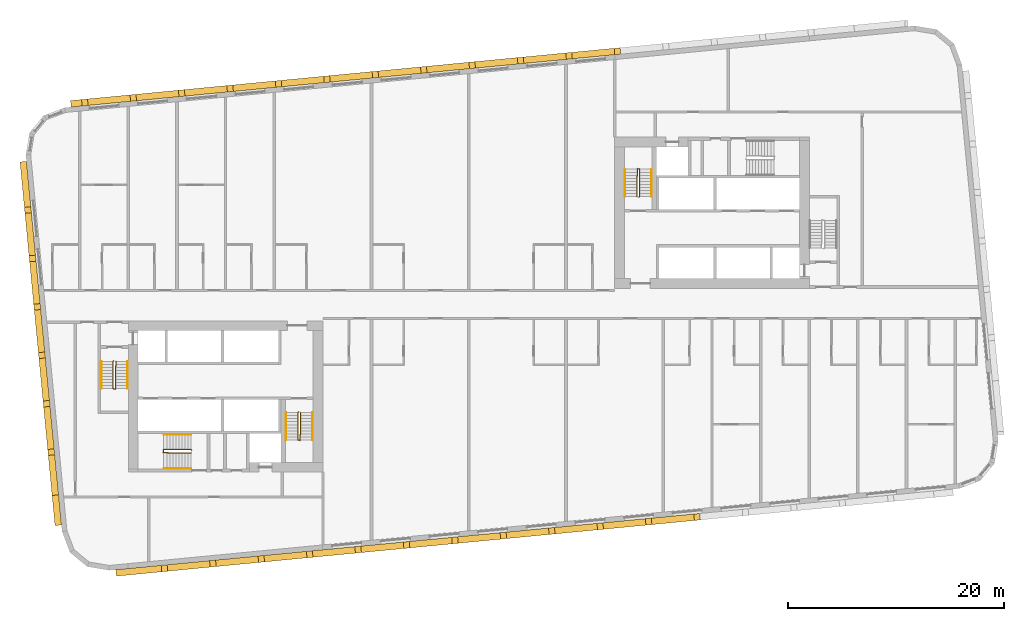
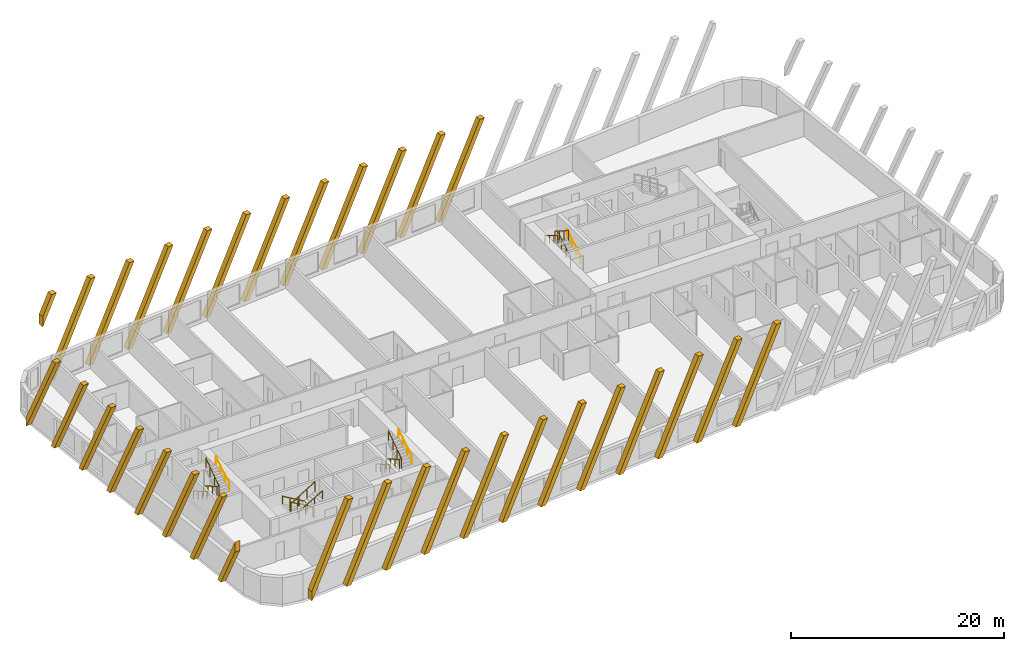
# One storey, part 12 of 13: 32 coverings, 12 railings.
"""IFC4 building model written with IfcOpenShell, lengths in metres."""

from ifc_helpers import new_model, si_unit, direction, frame, origin, origin_2d, place, context, subcontext, project, spatial, polyline, rectangle, circle, outline, extrude, material, material_profile, profile_set, type_object, element, save


model = new_model("IFC4")

# Units and contexts
model_context = context("Model", 3, precision=1e-05, world=origin(), true_north=direction((0.0, 1.0)))
body_context = subcontext(model_context, "Body", "Model", "MODEL_VIEW")
ifc_project = project(units=[si_unit("LENGTHUNIT", "METRE"), si_unit("AREAUNIT", "SQUARE_METRE"), si_unit("VOLUMEUNIT", "CUBIC_METRE"), si_unit("PLANEANGLEUNIT", "RADIAN"), si_unit("MASSUNIT", "GRAM", prefix="KILO")], contexts=[model_context])

# Site, building, storey
site_placement = place(None, origin())
site = spatial("IfcSite", under=ifc_project, at=site_placement, CompositionType="ELEMENT")
building_placement = place(site_placement, origin())
building = spatial("IfcBuilding", under=site, at=building_placement, Name="Kajstack Hotel Tower", CompositionType="ELEMENT")
storey_placement = place(building_placement, frame((0.0, 0.0, 120.699951171875)))
storey = spatial("IfcBuildingStorey", under=building, at=storey_placement, Name="L26", CompositionType="ELEMENT", Elevation=120.699951171875)

# Coverings
ifc_material_1 = material(Name="Terracotta", Category="masonry")
ifc_material_profile = material_profile(ifc_material_1, rectangle(XDim=0.60009765625, YDim=0.5, at=origin_2d()), Name="Terracotta-clad concrete baguette 500 x 600")
ifc_profile_set = profile_set([ifc_material_profile], Name="Terracotta")
covering_type = type_object("IfcCoveringType", Name="BAGUETTE 500x600", PredefinedType="CLADDING", material=ifc_profile_set)
covering_1_placement = place(storey_placement, frame((-40.91943359375, 13.2529296875, 0.0), z_axis=(-0.995381412265, -0.095999188106, 0.0), x_axis=(0.095999188106, -0.995381412265, 0.0)))
element("IfcCovering", 1, at=covering_1_placement, inside=storey, type_object=covering_type, Name="Baguette L26-00-001", PredefinedType="CLADDING", context=body_context, shape_type="SweptSolid", body=[
    extrude(outline(polyline([(4.222900390625, 9.89990234375), (0.0, 1.046142578125), (0.0, 0.0), (0.054931640625, 0.0), (4.777099609375, 9.89990234375), (4.222900390625, 9.89990234375)])), origin(), (0.0, 0.0, 1.0), 0.60009765625),
])
for number, where, z_axis, x_axis, name in (
    (2, (-40.5361328125, 9.270263671875, 0.0), (-0.995416482233, -0.095634862357, 0.0), (0.095634862357, -0.995416482233, 0.0), "Baguette L26-00-005"),
    (3, (-40.104736328125, 4.791015625, 0.0), (-0.995416482233, -0.095634862357, 0.0), (0.095634862357, -0.995416482233, 0.0), "Baguette L26-00-009"),
):
    element("IfcCovering", number, at=place(storey_placement, frame(where, z_axis=z_axis, x_axis=x_axis)), inside=storey, type_object=covering_type, Name=name, PredefinedType="CLADDING", context=body_context, shape_type="SweptSolid", body=[
        extrude(outline(polyline([(4.72216796875, 9.89990234375), (0.0, 0.0), (0.553955078125, 0.0), (5.276123046875, 9.89990234375), (4.72216796875, 9.89990234375)])), origin(), (0.0, 0.0, 1.0), 0.599853515625),
    ])
covering_2_placement = place(storey_placement, frame((-39.67333984375, 0.311767578125, 0.0), z_axis=(-0.995381412265, -0.095999188106, 0.0), x_axis=(0.095999188106, -0.995381412265, 0.0)))
element("IfcCovering", 4, at=covering_2_placement, inside=storey, type_object=covering_type, Name="Baguette L26-00-013", PredefinedType="CLADDING", context=body_context, shape_type="SweptSolid", body=[
    extrude(outline(polyline([(4.72216796875, 9.89990234375), (0.0, 0.0), (0.553955078125, 0.0), (5.276123046875, 9.89990234375), (4.72216796875, 9.89990234375)])), origin(), (0.0, 0.0, 1.0), 0.60009765625),
])
for number, where, z_axis, x_axis, name in (
    (5, (-39.2421875, -4.16748046875, 0.0), (-0.995377661201, -0.096038073607, 0.0), (0.096038073607, -0.995377661201, 0.0), "Baguette L26-00-017"),
    (6, (-38.810791015625, -8.646728515625, 0.0), (-0.995377661201, -0.096038073607, 0.0), (0.096038073607, -0.995377661201, 0.0), "Baguette L26-00-021"),
):
    element("IfcCovering", number, at=place(storey_placement, frame(where, z_axis=z_axis, x_axis=x_axis)), inside=storey, type_object=covering_type, Name=name, PredefinedType="CLADDING", context=body_context, shape_type="SweptSolid", body=[
        extrude(outline(polyline([(4.72216796875, 9.89990234375), (0.0, 0.0), (0.553955078125, 0.0), (5.276123046875, 9.89990234375), (4.72216796875, 9.89990234375)])), origin(), (0.0, 0.0, 1.0), 0.599853515625),
    ])
covering_3_placement = place(storey_placement, frame((-38.37939453125, -13.126220703125, 0.0), z_axis=(-0.995420202011, -0.095596137095, 0.0), x_axis=(0.095596137095, -0.995420202011, 0.0)))
element("IfcCovering", 7, at=covering_3_placement, inside=storey, type_object=covering_type, Name="Baguette L26-00-025", PredefinedType="CLADDING", context=body_context, shape_type="SweptSolid", body=[
    extrude(outline(polyline([(4.72216796875, 9.89990234375), (0.0, 0.0), (0.553955078125, 0.0), (5.276123046875, 9.89990234375), (4.72216796875, 9.89990234375)])), origin(), (0.0, 0.0, 1.0), 0.60009765625),
])
covering_4_placement = place(storey_placement, frame((-37.9482421875, -17.60546875, 0.0), z_axis=(-0.995416482233, -0.095634862357, 0.0), x_axis=(0.095634862357, -0.995416482233, 0.0)))
element("IfcCovering", 8, at=covering_4_placement, inside=storey, type_object=covering_type, Name="Baguette L26-00-029", PredefinedType="CLADDING", context=body_context, shape_type="SweptSolid", body=[
    extrude(outline(polyline([(0.553955078125, 0.0), (2.798828125, 4.706787109375), (2.798828125, 5.8681640625), (0.0, 0.0), (0.553955078125, 0.0)])), origin(), (0.0, 0.0, 1.0), 0.599853515625),
])
covering_5_placement = place(storey_placement, frame((-32.66015625, -24.529296875, 0.0), z_axis=(0.095596137095, -0.995420202011, 0.0), x_axis=(0.995420202011, 0.095596137095, 0.0)))
element("IfcCovering", 9, at=covering_5_placement, inside=storey, type_object=covering_type, Name="Baguette L26-04-001", PredefinedType="CLADDING", context=body_context, shape_type="SweptSolid", body=[
    extrude(outline(polyline([(4.222900390625, 9.89990234375), (0.0, 1.046142578125), (0.0, 0.0), (0.054931640625, 0.0), (4.777099609375, 9.89990234375), (4.222900390625, 9.89990234375)])), origin(), (0.0, 0.0, 1.0), 0.60009765625),
])
for number, where, z_axis, x_axis, name in (
    (10, (-28.677734375, -24.14599609375, 0.0), (0.096038073607, -0.995377661201, 0.0), (0.995377661201, 0.096038073607, 0.0), "Baguette L26-04-005"),
    (11, (-24.198486328125, -23.714599609375, 0.0), (0.096038073607, -0.995377661201, 0.0), (0.995377661201, 0.096038073607, 0.0), "Baguette L26-04-009"),
):
    element("IfcCovering", number, at=place(storey_placement, frame(where, z_axis=z_axis, x_axis=x_axis)), inside=storey, type_object=covering_type, Name=name, PredefinedType="CLADDING", context=body_context, shape_type="SweptSolid", body=[
        extrude(outline(polyline([(4.72216796875, 9.89990234375), (0.0, 0.0), (0.553955078125, 0.0), (5.276123046875, 9.89990234375), (4.72216796875, 9.89990234375)])), origin(), (0.0, 0.0, 1.0), 0.599853515625),
    ])
covering_6_placement = place(storey_placement, frame((-19.71923828125, -23.283203125, 0.0), z_axis=(0.095999188106, -0.995381412265, 0.0), x_axis=(0.995381412265, 0.095999188106, 0.0)))
element("IfcCovering", 12, at=covering_6_placement, inside=storey, type_object=covering_type, Name="Baguette L26-04-013", PredefinedType="CLADDING", context=body_context, shape_type="SweptSolid", body=[
    extrude(outline(polyline([(4.72216796875, 9.89990234375), (0.0, 0.0), (0.553955078125, 0.0), (5.276123046875, 9.89990234375), (4.72216796875, 9.89990234375)])), origin(), (0.0, 0.0, 1.0), 0.60009765625),
])
for number, where, z_axis, x_axis, name in (
    (13, (-15.239990234375, -22.85205078125, 0.0), (0.096038073607, -0.995377661201, 0.0), (0.995377661201, 0.096038073607, 0.0), "Baguette L26-04-017"),
    (14, (-10.760498046875, -22.420654296875, 0.0), (0.095634862357, -0.995416482233, 0.0), (0.995416482233, 0.095634862357, 0.0), "Baguette L26-04-021"),
    (15, (-6.28125, -21.989501953125, 0.0), (0.095634862357, -0.995416482233, 0.0), (0.995416482233, 0.095634862357, 0.0), "Baguette L26-04-025"),
    (16, (-1.802001953125, -21.55810546875, 0.0), (0.095634862357, -0.995416482233, 0.0), (0.995416482233, 0.095634862357, 0.0), "Baguette L26-04-029"),
):
    element("IfcCovering", number, at=place(storey_placement, frame(where, z_axis=z_axis, x_axis=x_axis)), inside=storey, type_object=covering_type, Name=name, PredefinedType="CLADDING", context=body_context, shape_type="SweptSolid", body=[
        extrude(outline(polyline([(4.72216796875, 9.89990234375), (0.0, 0.0), (0.553955078125, 0.0), (5.276123046875, 9.89990234375), (4.72216796875, 9.89990234375)])), origin(), (0.0, 0.0, 1.0), 0.599853515625),
    ])
covering_7_placement = place(storey_placement, frame((2.67724609375, -21.126708984375, 0.0), z_axis=(0.095999188106, -0.995381412265, 0.0), x_axis=(0.995381412265, 0.095999188106, 0.0)))
element("IfcCovering", 17, at=covering_7_placement, inside=storey, type_object=covering_type, Name="Baguette L26-04-033", PredefinedType="CLADDING", context=body_context, shape_type="SweptSolid", body=[
    extrude(outline(polyline([(4.72216796875, 9.89990234375), (0.0, 0.0), (0.553955078125, 0.0), (5.276123046875, 9.89990234375), (4.72216796875, 9.89990234375)])), origin(), (0.0, 0.0, 1.0), 0.60009765625),
])
for number, where, z_axis, x_axis, name in (
    (18, (7.156494140625, -20.695556640625, 0.0), (0.096038073607, -0.995377661201, 0.0), (0.995377661201, 0.096038073607, 0.0), "Baguette L26-04-037"),
    (19, (11.6357421875, -20.26416015625, 0.0), (0.096038073607, -0.995377661201, 0.0), (0.995377661201, 0.096038073607, 0.0), "Baguette L26-04-041"),
):
    element("IfcCovering", number, at=place(storey_placement, frame(where, z_axis=z_axis, x_axis=x_axis)), inside=storey, type_object=covering_type, Name=name, PredefinedType="CLADDING", context=body_context, shape_type="SweptSolid", body=[
        extrude(outline(polyline([(4.72216796875, 9.89990234375), (0.0, 0.0), (0.553955078125, 0.0), (5.276123046875, 9.89990234375), (4.72216796875, 9.89990234375)])), origin(), (0.0, 0.0, 1.0), 0.599853515625),
    ])
covering_8_placement = place(storey_placement, frame((16.114990234375, -19.832763671875, 0.0), z_axis=(0.095999188106, -0.995381412265, 0.0), x_axis=(0.995381412265, 0.095999188106, 0.0)))
element("IfcCovering", 20, at=covering_8_placement, inside=storey, type_object=covering_type, Name="Baguette L26-04-045", PredefinedType="CLADDING", context=body_context, shape_type="SweptSolid", body=[
    extrude(outline(polyline([(4.72216796875, 9.89990234375), (0.0, 0.0), (0.553955078125, 0.0), (5.276123046875, 9.89990234375), (4.72216796875, 9.89990234375)])), origin(), (0.0, 0.0, 1.0), 0.60009765625),
])
for number, where, z_axis, x_axis, name in (
    (21, (14.060302734375, 23.168212890625, 0.0), (-0.096038073607, 0.995377661201, 0.0), (-0.995377661201, -0.096038073607, 0.0), "Baguette L26-12-025"),
    (22, (9.5810546875, 22.73681640625, 0.0), (-0.096038073607, 0.995377661201, 0.0), (-0.995377661201, -0.096038073607, 0.0), "Baguette L26-12-029"),
):
    element("IfcCovering", number, at=place(storey_placement, frame(where, z_axis=z_axis, x_axis=x_axis)), inside=storey, type_object=covering_type, Name=name, PredefinedType="CLADDING", context=body_context, shape_type="SweptSolid", body=[
        extrude(outline(polyline([(0.0, 9.89990234375), (4.72216796875, 0.0), (5.276123046875, 0.0), (0.553955078125, 9.89990234375), (0.0, 9.89990234375)])), origin(), (0.0, 0.0, 1.0), 0.599853515625),
    ])
covering_9_placement = place(storey_placement, frame((5.101806640625, 22.305419921875, 0.0), z_axis=(-0.095999188106, 0.995381412265, 0.0), x_axis=(-0.995381412265, -0.095999188106, 0.0)))
element("IfcCovering", 23, at=covering_9_placement, inside=storey, type_object=covering_type, Name="Baguette L26-12-033", PredefinedType="CLADDING", context=body_context, shape_type="SweptSolid", body=[
    extrude(outline(polyline([(0.0, 9.89990234375), (4.72216796875, 0.0), (5.276123046875, 0.0), (0.553955078125, 9.89990234375), (0.0, 9.89990234375)])), origin(), (0.0, 0.0, 1.0), 0.60009765625),
])
for number, where, z_axis, x_axis, name in (
    (24, (0.622314453125, 21.874267578125, 0.0), (-0.095634862357, 0.995416482233, 0.0), (-0.995416482233, -0.095634862357, 0.0), "Baguette L26-12-037"),
    (25, (-3.85693359375, 21.44287109375, 0.0), (-0.095634862357, 0.995416482233, 0.0), (-0.995416482233, -0.095634862357, 0.0), "Baguette L26-12-041"),
):
    element("IfcCovering", number, at=place(storey_placement, frame(where, z_axis=z_axis, x_axis=x_axis)), inside=storey, type_object=covering_type, Name=name, PredefinedType="CLADDING", context=body_context, shape_type="SweptSolid", body=[
        extrude(outline(polyline([(0.0, 9.89990234375), (4.72216796875, 0.0), (5.276123046875, 0.0), (0.553955078125, 9.89990234375), (0.0, 9.89990234375)])), origin(), (0.0, 0.0, 1.0), 0.599853515625),
    ])
covering_10_placement = place(storey_placement, frame((-8.336181640625, 21.011474609375, 0.0), z_axis=(-0.095596137095, 0.995420202011, 0.0), x_axis=(-0.995420202011, -0.095596137095, 0.0)))
element("IfcCovering", 26, at=covering_10_placement, inside=storey, type_object=covering_type, Name="Baguette L26-12-045", PredefinedType="CLADDING", context=body_context, shape_type="SweptSolid", body=[
    extrude(outline(polyline([(0.0, 9.89990234375), (4.72216796875, 0.0), (5.276123046875, 0.0), (0.553955078125, 9.89990234375), (0.0, 9.89990234375)])), origin(), (0.0, 0.0, 1.0), 0.60009765625),
])
for number, where, z_axis, x_axis, name in (
    (27, (-12.8154296875, 20.580322265625, 0.0), (-0.096038073607, 0.995377661201, 0.0), (-0.995377661201, -0.096038073607, 0.0), "Baguette L26-12-049"),
    (28, (-17.294677734375, 20.14892578125, 0.0), (-0.096038073607, 0.995377661201, 0.0), (-0.995377661201, -0.096038073607, 0.0), "Baguette L26-12-053"),
    (29, (-21.77392578125, 19.7177734375, 0.0), (-0.096038073607, 0.995377661201, 0.0), (-0.995377661201, -0.096038073607, 0.0), "Baguette L26-12-057"),
    (30, (-26.253173828125, 19.286376953125, 0.0), (-0.096038073607, 0.995377661201, 0.0), (-0.995377661201, -0.096038073607, 0.0), "Baguette L26-12-061"),
):
    element("IfcCovering", number, at=place(storey_placement, frame(where, z_axis=z_axis, x_axis=x_axis)), inside=storey, type_object=covering_type, Name=name, PredefinedType="CLADDING", context=body_context, shape_type="SweptSolid", body=[
        extrude(outline(polyline([(0.0, 9.89990234375), (4.72216796875, 0.0), (5.276123046875, 0.0), (0.553955078125, 9.89990234375), (0.0, 9.89990234375)])), origin(), (0.0, 0.0, 1.0), 0.599853515625),
    ])
covering_11_placement = place(storey_placement, frame((-30.732666015625, 18.85498046875, 0.0), z_axis=(-0.095596137095, 0.995420202011, 0.0), x_axis=(-0.995420202011, -0.095596137095, 0.0)))
element("IfcCovering", 31, at=covering_11_placement, inside=storey, type_object=covering_type, Name="Baguette L26-12-065", PredefinedType="CLADDING", context=body_context, shape_type="SweptSolid", body=[
    extrude(outline(polyline([(0.0, 9.89990234375), (4.72216796875, 0.0), (5.276123046875, 0.0), (0.553955078125, 9.89990234375), (0.0, 9.89990234375)])), origin(), (0.0, 0.0, 1.0), 0.60009765625),
])
covering_12_placement = place(storey_placement, frame((-35.2119140625, 18.423828125, 0.0), z_axis=(-0.095634862357, 0.995416482233, 0.0), x_axis=(-0.995416482233, -0.095634862357, 0.0)))
element("IfcCovering", 32, at=covering_12_placement, inside=storey, type_object=covering_type, Name="Baguette L26-12-069", PredefinedType="CLADDING", context=body_context, shape_type="SweptSolid", body=[
    extrude(outline(polyline([(0.0, 9.89990234375), (1.576904296875, 6.59375), (1.576904296875, 7.755126953125), (0.553955078125, 9.89990234375), (0.0, 9.89990234375)])), origin(), (0.0, 0.0, 1.0), 0.599853515625),
])

# Railings
ifc_material_2 = material(Name="Steel S355J2", Category="steel")
railing_type_1 = type_object("IfcRailingType", Name="Stair guard 1100", PredefinedType="GUARDRAIL", material=ifc_material_2)
railing_1_placement = place(storey_placement, frame((-32.85009765625, -5.199951171875, 0.0)))
element("IfcRailing", 33, at=railing_1_placement, inside=storey, type_object=railing_type_1, Name="L26 W1 stair guard 1", PredefinedType="GUARDRAIL", context=body_context, shape_type="SweptSolid", body=[
    extrude(circle(Radius=0.02392578125, at=origin_2d()), frame((0.0, 0.0, 1.076171875), z_axis=(-0.277450376394, -0.278810427259, 0.919394384522), x_axis=(0.708833529934, -0.705375805398, 0.0)), (0.0, 0.0, 1.0), 0.179443359375),
    extrude(circle(Radius=0.02392578125, at=origin_2d()), frame((-0.0498046875, -0.050048828125, 1.2412109375), z_axis=(0.0, -0.86152411907, 0.507716645641), x_axis=(1.0, 0.0, 0.0)), (0.0, 0.0, 1.0), 2.925048828125),
    extrude(circle(Radius=0.02392578125, at=origin_2d()), frame((-0.0498046875, -2.570068359375, 2.72607421875), z_axis=(0.970072785993, -0.242814311512, 0.0), x_axis=(0.242814311512, 0.970072785993, 0.0)), (0.0, 0.0, 1.0), 0.2060546875),
    extrude(circle(Radius=0.02392578125, at=origin_2d()), frame((0.150146484375, -2.6201171875, 2.72607421875), z_axis=(0.016385308676, 0.841405582595, 0.540155687962), x_axis=(-0.999810440751, 0.019470042781, 0.0)), (0.0, 0.0, 1.0), 3.054443359375),
    extrude(circle(Radius=0.02099609375, at=origin_2d()), origin(), (0.0, 0.0, 1.0), 1.052001953125),
    extrude(circle(Radius=0.02099609375, at=origin_2d()), frame((-0.0498046875, -0.050048828125, 0.1650390625)), (0.0, 0.0, 1.0), 1.052001953125),
    extrude(circle(Radius=0.02099609375, at=origin_2d()), frame((-0.0498046875, -0.89013671875, 0.66015625)), (0.0, 0.0, 1.0), 1.052001953125),
    extrude(circle(Radius=0.02099609375, at=origin_2d()), frame((-0.0498046875, -1.72998046875, 1.155029296875)), (0.0, 0.0, 1.0), 1.052001953125),
    extrude(circle(Radius=0.02099609375, at=origin_2d()), frame((-0.0498046875, -2.570068359375, 1.650146484375)), (0.0, 0.0, 1.0), 1.052001953125),
    extrude(circle(Radius=0.02099609375, at=origin_2d()), frame((0.150146484375, -2.6201171875, 1.650146484375)), (0.0, 0.0, 1.0), 1.052001953125),
    extrude(circle(Radius=0.02099609375, at=origin_2d()), frame((0.166748046875, -1.763427734375, 2.2001953125)), (0.0, 0.0, 1.0), 1.052001953125),
    extrude(circle(Radius=0.02099609375, at=origin_2d()), frame((0.18359375, -0.90673828125, 2.75)), (0.0, 0.0, 1.0), 1.052001953125),
    extrude(circle(Radius=0.02099609375, at=origin_2d()), frame((0.2001953125, -0.050048828125, 3.300048828125)), (0.0, 0.0, 1.0), 1.052001953125),
])
railing_2_placement = place(storey_placement, frame((-15.75, -9.949951171875, 0.0)))
element("IfcRailing", 34, at=railing_2_placement, inside=storey, type_object=railing_type_1, Name="L26 W2 stair guard 1", PredefinedType="GUARDRAIL", context=body_context, shape_type="SweptSolid", body=[
    extrude(circle(Radius=0.02392578125, at=origin_2d()), frame((0.0, 0.0, 1.076171875), z_axis=(-0.278705021027, -0.278705021027, 0.919046801044), x_axis=(0.707106781187, -0.707106781187, 0.0)), (0.0, 0.0, 1.0), 0.1796875),
    extrude(circle(Radius=0.02392578125, at=origin_2d()), frame((-0.050048828125, -0.050048828125, 1.2412109375), z_axis=(0.0, -0.86152411907, 0.507716645641), x_axis=(1.0, 0.0, 0.0)), (0.0, 0.0, 1.0), 2.925048828125),
    extrude(circle(Radius=0.02392578125, at=origin_2d()), frame((-0.050048828125, -2.570068359375, 2.72607421875), z_axis=(0.970072785993, -0.242814311512, 0.0), x_axis=(0.242814311512, 0.970072785993, 0.0)), (0.0, 0.0, 1.0), 0.2060546875),
    extrude(circle(Radius=0.02392578125, at=origin_2d()), frame((0.14990234375, -2.6201171875, 2.72607421875), z_axis=(0.016385308676, 0.841405582595, 0.540155687962), x_axis=(-0.999810440751, 0.019470042781, 0.0)), (0.0, 0.0, 1.0), 3.054443359375),
    extrude(circle(Radius=0.02099609375, at=origin_2d()), origin(), (0.0, 0.0, 1.0), 1.052001953125),
    extrude(circle(Radius=0.02099609375, at=origin_2d()), frame((-0.050048828125, -0.050048828125, 0.1650390625)), (0.0, 0.0, 1.0), 1.052001953125),
    extrude(circle(Radius=0.02099609375, at=origin_2d()), frame((-0.050048828125, -0.89013671875, 0.66015625)), (0.0, 0.0, 1.0), 1.052001953125),
    extrude(circle(Radius=0.02099609375, at=origin_2d()), frame((-0.050048828125, -1.72998046875, 1.155029296875)), (0.0, 0.0, 1.0), 1.052001953125),
    extrude(circle(Radius=0.02099609375, at=origin_2d()), frame((-0.050048828125, -2.570068359375, 1.650146484375)), (0.0, 0.0, 1.0), 1.052001953125),
    extrude(circle(Radius=0.02099609375, at=origin_2d()), frame((0.14990234375, -2.6201171875, 1.650146484375)), (0.0, 0.0, 1.0), 1.052001953125),
    extrude(circle(Radius=0.02099609375, at=origin_2d()), frame((0.16650390625, -1.763427734375, 2.2001953125)), (0.0, 0.0, 1.0), 1.052001953125),
    extrude(circle(Radius=0.02099609375, at=origin_2d()), frame((0.183349609375, -0.90673828125, 2.75)), (0.0, 0.0, 1.0), 1.052001953125),
    extrude(circle(Radius=0.02099609375, at=origin_2d()), frame((0.199951171875, -0.050048828125, 3.300048828125)), (0.0, 0.0, 1.0), 1.052001953125),
])
railing_3_placement = place(storey_placement, frame((-25.64990234375, -13.449951171875, 0.0)))
element("IfcRailing", 35, at=railing_3_placement, inside=storey, type_object=railing_type_1, Name="L26 W3 stair guard 1", PredefinedType="GUARDRAIL", context=body_context, shape_type="SweptSolid", body=[
    extrude(circle(Radius=0.02392578125, at=origin_2d()), frame((0.0, 0.0, 1.076171875), z_axis=(-0.278705021027, 0.278705021027, 0.919046801044), x_axis=(-0.707106781187, -0.707106781187, 0.0)), (0.0, 0.0, 1.0), 0.1796875),
    extrude(circle(Radius=0.02392578125, at=origin_2d()), frame((-0.050048828125, 0.050048828125, 1.2412109375), z_axis=(-0.86152411907, 0.0, 0.507716645641), x_axis=(0.0, -1.0, 0.0)), (0.0, 0.0, 1.0), 2.925048828125),
    extrude(circle(Radius=0.02392578125, at=origin_2d()), frame((-2.570068359375, 0.050048828125, 2.72607421875), z_axis=(-0.164529134168, -0.986372223864, 0.0), x_axis=(0.986372223864, -0.164529134168, 0.0)), (0.0, 0.0, 1.0), 0.30419921875),
    extrude(circle(Radius=0.02392578125, at=origin_2d()), frame((-2.6201171875, -0.25, 2.72607421875), z_axis=(0.841405582595, -0.016385308676, 0.540155687962), x_axis=(0.019470042781, 0.999810440751, 0.0)), (0.0, 0.0, 1.0), 3.054443359375),
    extrude(circle(Radius=0.02099609375, at=origin_2d()), origin(), (0.0, 0.0, 1.0), 1.052001953125),
    extrude(circle(Radius=0.02099609375, at=origin_2d()), frame((-0.050048828125, 0.050048828125, 0.1650390625)), (0.0, 0.0, 1.0), 1.052001953125),
    extrude(circle(Radius=0.02099609375, at=origin_2d()), frame((-0.89013671875, 0.050048828125, 0.66015625)), (0.0, 0.0, 1.0), 1.052001953125),
    extrude(circle(Radius=0.02099609375, at=origin_2d()), frame((-1.72998046875, 0.050048828125, 1.155029296875)), (0.0, 0.0, 1.0), 1.052001953125),
    extrude(circle(Radius=0.02099609375, at=origin_2d()), frame((-2.570068359375, 0.050048828125, 1.650146484375)), (0.0, 0.0, 1.0), 1.052001953125),
    extrude(circle(Radius=0.02099609375, at=origin_2d()), frame((-2.6201171875, -0.25, 1.650146484375)), (0.0, 0.0, 1.0), 1.052001953125),
    extrude(circle(Radius=0.02099609375, at=origin_2d()), frame((-1.763427734375, -0.2666015625, 2.2001953125)), (0.0, 0.0, 1.0), 1.052001953125),
    extrude(circle(Radius=0.02099609375, at=origin_2d()), frame((-0.90673828125, -0.283447265625, 2.75)), (0.0, 0.0, 1.0), 1.052001953125),
    extrude(circle(Radius=0.02099609375, at=origin_2d()), frame((-0.050048828125, -0.300048828125, 3.300048828125)), (0.0, 0.0, 1.0), 1.052001953125),
])
railing_4_placement = place(storey_placement, frame((15.75, 9.949951171875, 0.0)))
element("IfcRailing", 36, at=railing_4_placement, inside=storey, type_object=railing_type_1, Name="L26 E2 stair guard 1", PredefinedType="GUARDRAIL", context=body_context, shape_type="SweptSolid", body=[
    extrude(circle(Radius=0.02392578125, at=origin_2d()), frame((0.0, 0.0, 1.076171875), z_axis=(0.278705021027, 0.278705021027, 0.919046801044), x_axis=(-0.707106781187, 0.707106781187, 0.0)), (0.0, 0.0, 1.0), 0.1796875),
    extrude(circle(Radius=0.02392578125, at=origin_2d()), frame((0.050048828125, 0.050048828125, 1.2412109375), z_axis=(0.0, 0.86152411907, 0.507716645641), x_axis=(-1.0, 0.0, 0.0)), (0.0, 0.0, 1.0), 2.925048828125),
    extrude(circle(Radius=0.02392578125, at=origin_2d()), frame((0.050048828125, 2.570068359375, 2.72607421875), z_axis=(-0.970072785993, 0.242814311512, 0.0), x_axis=(-0.242814311512, -0.970072785993, 0.0)), (0.0, 0.0, 1.0), 0.2060546875),
    extrude(circle(Radius=0.02392578125, at=origin_2d()), frame((-0.14990234375, 2.6201171875, 2.72607421875), z_axis=(-0.016385308676, -0.841405582595, 0.540155687962), x_axis=(0.999810440751, -0.019470042781, 0.0)), (0.0, 0.0, 1.0), 3.054443359375),
    extrude(circle(Radius=0.02099609375, at=origin_2d()), origin(), (0.0, 0.0, 1.0), 1.052001953125),
    extrude(circle(Radius=0.02099609375, at=origin_2d()), frame((0.050048828125, 0.050048828125, 0.1650390625)), (0.0, 0.0, 1.0), 1.052001953125),
    extrude(circle(Radius=0.02099609375, at=origin_2d()), frame((0.050048828125, 0.89013671875, 0.66015625)), (0.0, 0.0, 1.0), 1.052001953125),
    extrude(circle(Radius=0.02099609375, at=origin_2d()), frame((0.050048828125, 1.72998046875, 1.155029296875)), (0.0, 0.0, 1.0), 1.052001953125),
    extrude(circle(Radius=0.02099609375, at=origin_2d()), frame((0.050048828125, 2.570068359375, 1.650146484375)), (0.0, 0.0, 1.0), 1.052001953125),
    extrude(circle(Radius=0.02099609375, at=origin_2d()), frame((-0.14990234375, 2.6201171875, 1.650146484375)), (0.0, 0.0, 1.0), 1.052001953125),
    extrude(circle(Radius=0.02099609375, at=origin_2d()), frame((-0.16650390625, 1.763427734375, 2.2001953125)), (0.0, 0.0, 1.0), 1.052001953125),
    extrude(circle(Radius=0.02099609375, at=origin_2d()), frame((-0.183349609375, 0.90673828125, 2.75)), (0.0, 0.0, 1.0), 1.052001953125),
    extrude(circle(Radius=0.02099609375, at=origin_2d()), frame((-0.199951171875, 0.050048828125, 3.300048828125)), (0.0, 0.0, 1.0), 1.052001953125),
])
railing_type_2 = type_object("IfcRailingType", Name="Stair handrail 900", PredefinedType="HANDRAIL", material=ifc_material_2)
railing_5_placement = place(storey_placement, frame((-34.0, -5.25, 0.1650390625)))
element("IfcRailing", 37, at=railing_5_placement, inside=storey, type_object=railing_type_2, Name="L26 W1 stair handrail 1", PredefinedType="HANDRAIL", context=body_context, shape_type="SweptSolid", body=[
    extrude(circle(Radius=0.02392578125, at=origin_2d()), frame((0.0, 0.0, 0.8759765625), z_axis=(0.0, -0.86152411907, 0.507716645641), x_axis=(1.0, 0.0, 0.0)), (0.0, 0.0, 1.0), 2.925048828125),
    extrude(circle(Radius=0.02099609375, at=origin_2d()), origin(), (0.0, 0.0, 1.0), 0.851806640625),
    extrude(circle(Radius=0.02099609375, at=origin_2d()), frame((0.0, -0.840087890625, 0.4951171875)), (0.0, 0.0, 1.0), 0.851806640625),
    extrude(circle(Radius=0.02099609375, at=origin_2d()), frame((0.0, -1.679931640625, 0.989990234375)), (0.0, 0.0, 1.0), 0.851806640625),
    extrude(circle(Radius=0.02099609375, at=origin_2d()), frame((0.0, -2.52001953125, 1.485107421875)), (0.0, 0.0, 1.0), 0.851806640625),
])
railing_6_placement = place(storey_placement, frame((-31.550048828125, -7.77001953125, 1.81494140625)))
element("IfcRailing", 38, at=railing_6_placement, inside=storey, type_object=railing_type_2, Name="L26 W1 stair handrail 2", PredefinedType="HANDRAIL", context=body_context, shape_type="SweptSolid", body=[
    extrude(circle(Radius=0.02392578125, at=origin_2d()), frame((0.0, 0.0, 0.8759765625), z_axis=(0.0, 0.86152411907, 0.507716645641), x_axis=(-1.0, 0.0, 0.0)), (0.0, 0.0, 1.0), 2.925048828125),
    extrude(circle(Radius=0.02099609375, at=origin_2d()), origin(), (0.0, 0.0, 1.0), 0.851806640625),
    extrude(circle(Radius=0.02099609375, at=origin_2d()), frame((0.0, 0.840087890625, 0.4951171875)), (0.0, 0.0, 1.0), 0.851806640625),
    extrude(circle(Radius=0.02099609375, at=origin_2d()), frame((0.0, 1.679931640625, 0.989990234375)), (0.0, 0.0, 1.0), 0.851806640625),
    extrude(circle(Radius=0.02099609375, at=origin_2d()), frame((0.0, 2.52001953125, 1.485107421875)), (0.0, 0.0, 1.0), 0.851806640625),
])
railing_7_placement = place(storey_placement, frame((-16.89990234375, -10.0, 0.1650390625)))
element("IfcRailing", 39, at=railing_7_placement, inside=storey, type_object=railing_type_2, Name="L26 W2 stair handrail 1", PredefinedType="HANDRAIL", context=body_context, shape_type="SweptSolid", body=[
    extrude(circle(Radius=0.02392578125, at=origin_2d()), frame((0.0, 0.0, 0.8759765625), z_axis=(0.0, -0.86152411907, 0.507716645641), x_axis=(1.0, 0.0, 0.0)), (0.0, 0.0, 1.0), 2.925048828125),
    extrude(circle(Radius=0.02099609375, at=origin_2d()), origin(), (0.0, 0.0, 1.0), 0.851806640625),
    extrude(circle(Radius=0.02099609375, at=origin_2d()), frame((0.0, -0.840087890625, 0.4951171875)), (0.0, 0.0, 1.0), 0.851806640625),
    extrude(circle(Radius=0.02099609375, at=origin_2d()), frame((0.0, -1.679931640625, 0.989990234375)), (0.0, 0.0, 1.0), 0.851806640625),
    extrude(circle(Radius=0.02099609375, at=origin_2d()), frame((0.0, -2.52001953125, 1.485107421875)), (0.0, 0.0, 1.0), 0.851806640625),
])
railing_8_placement = place(storey_placement, frame((-14.449951171875, -12.52001953125, 1.81494140625)))
element("IfcRailing", 40, at=railing_8_placement, inside=storey, type_object=railing_type_2, Name="L26 W2 stair handrail 2", PredefinedType="HANDRAIL", context=body_context, shape_type="SweptSolid", body=[
    extrude(circle(Radius=0.02392578125, at=origin_2d()), frame((0.0, 0.0, 0.8759765625), z_axis=(0.0, 0.86152411907, 0.507716645641), x_axis=(-1.0, 0.0, 0.0)), (0.0, 0.0, 1.0), 2.925048828125),
    extrude(circle(Radius=0.02099609375, at=origin_2d()), origin(), (0.0, 0.0, 1.0), 0.851806640625),
    extrude(circle(Radius=0.02099609375, at=origin_2d()), frame((0.0, 0.840087890625, 0.4951171875)), (0.0, 0.0, 1.0), 0.851806640625),
    extrude(circle(Radius=0.02099609375, at=origin_2d()), frame((0.0, 1.679931640625, 0.989990234375)), (0.0, 0.0, 1.0), 0.851806640625),
    extrude(circle(Radius=0.02099609375, at=origin_2d()), frame((0.0, 2.52001953125, 1.485107421875)), (0.0, 0.0, 1.0), 0.851806640625),
])
railing_9_placement = place(storey_placement, frame((-25.699951171875, -12.0, 0.1650390625)))
element("IfcRailing", 41, at=railing_9_placement, inside=storey, type_object=railing_type_2, Name="L26 W3 stair handrail 1", PredefinedType="HANDRAIL", context=body_context, shape_type="SweptSolid", body=[
    extrude(circle(Radius=0.02392578125, at=origin_2d()), frame((0.0, 0.0, 0.8759765625), z_axis=(-0.86152411907, 0.0, 0.507716645641), x_axis=(0.0, -1.0, 0.0)), (0.0, 0.0, 1.0), 2.925048828125),
    extrude(circle(Radius=0.02099609375, at=origin_2d()), origin(), (0.0, 0.0, 1.0), 0.851806640625),
    extrude(circle(Radius=0.02099609375, at=origin_2d()), frame((-0.840087890625, 0.0, 0.4951171875)), (0.0, 0.0, 1.0), 0.851806640625),
    extrude(circle(Radius=0.02099609375, at=origin_2d()), frame((-1.679931640625, 0.0, 0.989990234375)), (0.0, 0.0, 1.0), 0.851806640625),
    extrude(circle(Radius=0.02099609375, at=origin_2d()), frame((-2.52001953125, 0.0, 1.485107421875)), (0.0, 0.0, 1.0), 0.851806640625),
])
railing_10_placement = place(storey_placement, frame((-28.219970703125, -15.14990234375, 1.81494140625)))
element("IfcRailing", 42, at=railing_10_placement, inside=storey, type_object=railing_type_2, Name="L26 W3 stair handrail 2", PredefinedType="HANDRAIL", context=body_context, shape_type="SweptSolid", body=[
    extrude(circle(Radius=0.02392578125, at=origin_2d()), frame((0.0, 0.0, 0.8759765625), z_axis=(0.86152411907, 0.0, 0.507716645641), x_axis=(0.0, 1.0, 0.0)), (0.0, 0.0, 1.0), 2.925048828125),
    extrude(circle(Radius=0.02099609375, at=origin_2d()), origin(), (0.0, 0.0, 1.0), 0.851806640625),
    extrude(circle(Radius=0.02099609375, at=origin_2d()), frame((0.840087890625, 0.0, 0.4951171875)), (0.0, 0.0, 1.0), 0.851806640625),
    extrude(circle(Radius=0.02099609375, at=origin_2d()), frame((1.679931640625, 0.0, 0.989990234375)), (0.0, 0.0, 1.0), 0.851806640625),
    extrude(circle(Radius=0.02099609375, at=origin_2d()), frame((2.52001953125, 0.0, 1.485107421875)), (0.0, 0.0, 1.0), 0.851806640625),
])
railing_11_placement = place(storey_placement, frame((16.89990234375, 10.0, 0.1650390625)))
element("IfcRailing", 43, at=railing_11_placement, inside=storey, type_object=railing_type_2, Name="L26 E2 stair handrail 1", PredefinedType="HANDRAIL", context=body_context, shape_type="SweptSolid", body=[
    extrude(circle(Radius=0.02392578125, at=origin_2d()), frame((0.0, 0.0, 0.8759765625), z_axis=(0.0, 0.86152411907, 0.507716645641), x_axis=(-1.0, 0.0, 0.0)), (0.0, 0.0, 1.0), 2.925048828125),
    extrude(circle(Radius=0.02099609375, at=origin_2d()), origin(), (0.0, 0.0, 1.0), 0.851806640625),
    extrude(circle(Radius=0.02099609375, at=origin_2d()), frame((0.0, 0.840087890625, 0.4951171875)), (0.0, 0.0, 1.0), 0.851806640625),
    extrude(circle(Radius=0.02099609375, at=origin_2d()), frame((0.0, 1.679931640625, 0.989990234375)), (0.0, 0.0, 1.0), 0.851806640625),
    extrude(circle(Radius=0.02099609375, at=origin_2d()), frame((0.0, 2.52001953125, 1.485107421875)), (0.0, 0.0, 1.0), 0.851806640625),
])
railing_12_placement = place(storey_placement, frame((14.449951171875, 12.52001953125, 1.81494140625)))
element("IfcRailing", 44, at=railing_12_placement, inside=storey, type_object=railing_type_2, Name="L26 E2 stair handrail 2", PredefinedType="HANDRAIL", context=body_context, shape_type="SweptSolid", body=[
    extrude(circle(Radius=0.02392578125, at=origin_2d()), frame((0.0, 0.0, 0.8759765625), z_axis=(0.0, -0.86152411907, 0.507716645641), x_axis=(1.0, 0.0, 0.0)), (0.0, 0.0, 1.0), 2.925048828125),
    extrude(circle(Radius=0.02099609375, at=origin_2d()), origin(), (0.0, 0.0, 1.0), 0.851806640625),
    extrude(circle(Radius=0.02099609375, at=origin_2d()), frame((0.0, -0.840087890625, 0.4951171875)), (0.0, 0.0, 1.0), 0.851806640625),
    extrude(circle(Radius=0.02099609375, at=origin_2d()), frame((0.0, -1.679931640625, 0.989990234375)), (0.0, 0.0, 1.0), 0.851806640625),
    extrude(circle(Radius=0.02099609375, at=origin_2d()), frame((0.0, -2.52001953125, 1.485107421875)), (0.0, 0.0, 1.0), 0.851806640625),
])

save(model, "model.ifc")
